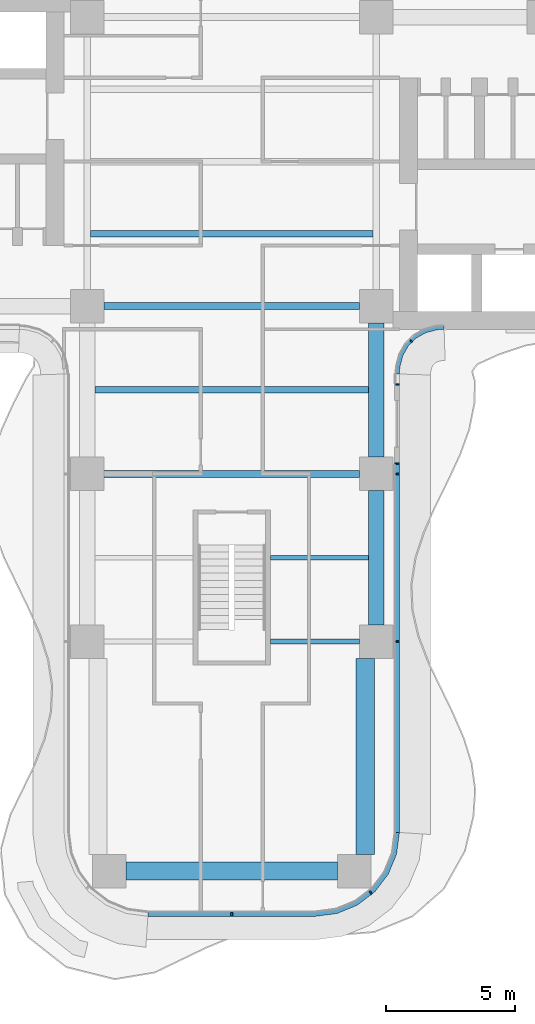
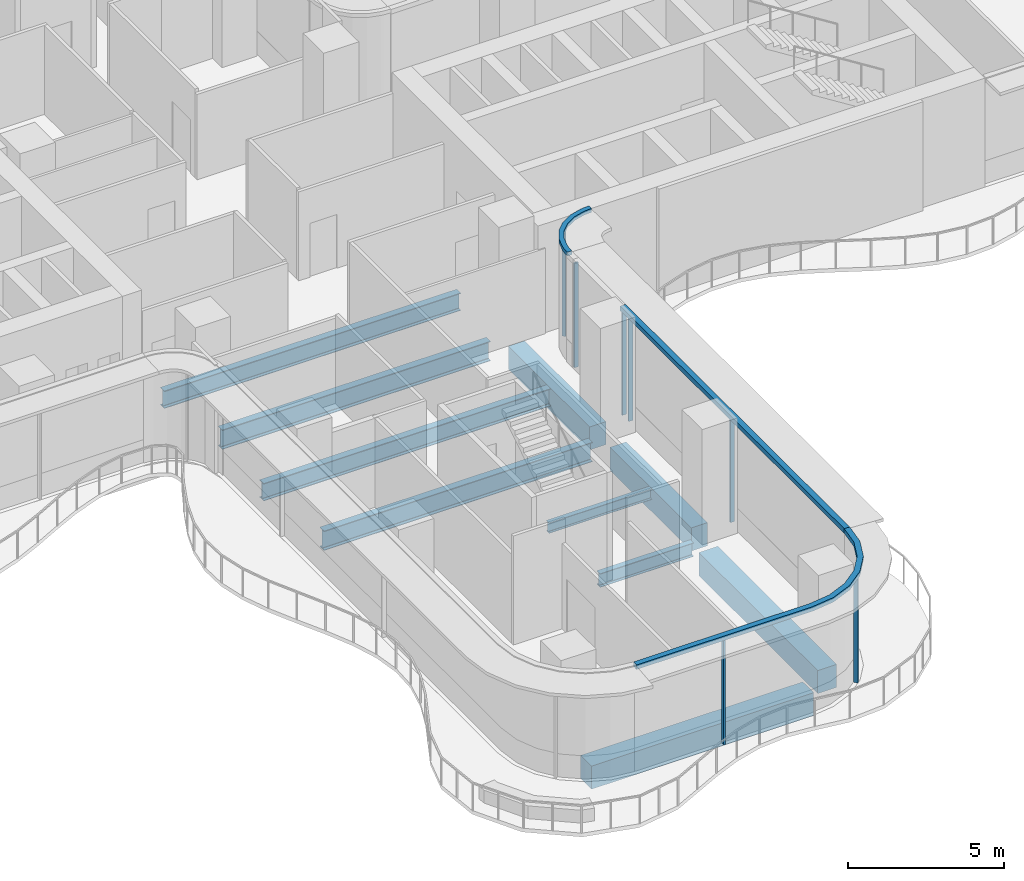
# One storey, part 5 of 23: 10 beams, 10 members, 4 elements without a shape of their own.
"""IFC4 building model written with IfcOpenShell, lengths in metres."""

from ifc_helpers import new_model, si_unit, direction, frame, origin, origin_2d, place, context, subcontext, project, spatial, polyline, rectangle, i_section, outline, extrude, source, transform, mapped, material, layer, layer_set, material_profile, profile_set, type_object, element, aggregate, save


model = new_model("IFC4")

# Units and contexts
model_context = context("Model", 3, precision=1e-05, world=origin(), true_north=direction((0.0, 1.0)))
body_context = subcontext(model_context, "Body", "Model", "MODEL_VIEW")
ifc_project = project(units=[si_unit("LENGTHUNIT", "METRE"), si_unit("AREAUNIT", "SQUARE_METRE"), si_unit("VOLUMEUNIT", "CUBIC_METRE"), si_unit("PLANEANGLEUNIT", "RADIAN"), si_unit("MASSUNIT", "GRAM", prefix="KILO")], contexts=[model_context])

# Site, building, storey
site_placement = place(None, origin())
site = spatial("IfcSite", under=ifc_project, at=site_placement, CompositionType="ELEMENT")
building_placement = place(site_placement, origin())
building = spatial("IfcBuilding", under=site, at=building_placement, Name="Trellis Farm Tower", CompositionType="ELEMENT")
storey_placement = place(building_placement, frame((0.0, 0.0, 111.0)))
storey = spatial("IfcBuildingStorey", under=building, at=storey_placement, Name="L23", CompositionType="ELEMENT", Elevation=111.0)

# Beams
ifc_material_1 = material(Name="Steel S355", Category="steel")
ifc_material_profile_1 = material_profile(ifc_material_1, i_section(OverallWidth=0.253662109375, OverallDepth=0.68359375, WebThickness=0.012451171875, FlangeThickness=0.021728515625, FilletRadius=0.01513671875, at=origin_2d()), Name="UB 686x254x140")
ifc_profile_set_1 = profile_set([ifc_material_profile_1], Name="Steel S355")
beam_type_1 = type_object("IfcBeamType", Name="UB 686x254x140 joist", PredefinedType="JOIST", material=ifc_profile_set_1)
shared_shape_1 = source(origin(), body_context, "Body", "SweptSolid", [
    extrude(i_section(OverallWidth=0.253662109375, OverallDepth=0.68359375, WebThickness=0.012451171875, FlangeThickness=0.021728515625, FilletRadius=0.01513671875, at=origin_2d()), origin(), (0.0, 0.0, 1.0), 10.93310546875),
])
beam_1_placement = place(storey_placement, frame((-5.466552734375, -2.800048828125, -0.591796875), z_axis=(1.0, 0.0, 0.0), x_axis=(0.0, 1.0, 0.0)))
element("IfcBeam", 1, at=beam_1_placement, inside=storey, type_object=beam_type_1, Name="Floor beam", PredefinedType="JOIST", context=body_context, shape_type="MappedRepresentation", body=[
    mapped(shared_shape_1, transform((0.0, 0.0, 0.0))),
])
ifc_material_profile_2 = material_profile(ifc_material_1, i_section(OverallWidth=0.177978515625, OverallDepth=0.406494140625, WebThickness=0.0078125, FlangeThickness=0.0126953125, FilletRadius=0.01025390625, at=origin_2d()), Name="UB 406x178x60")
ifc_profile_set_2 = profile_set([ifc_material_profile_2], Name="Steel S355")
beam_type_2 = type_object("IfcBeamType", Name="UB 406x178x60 joist", PredefinedType="JOIST", material=ifc_profile_set_2)
shared_shape_2 = source(origin(), body_context, "Body", "SweptSolid", [
    extrude(i_section(OverallWidth=0.177978515625, OverallDepth=0.406494140625, WebThickness=0.0078125, FlangeThickness=0.0126953125, FilletRadius=0.01025390625, at=origin_2d()), origin(), (0.0, 0.0, 1.0), 3.800048828125),
])
beam_2_placement = place(storey_placement, frame((1.5, -15.35009765625, -0.453125), z_axis=(1.0, 0.0, 0.0), x_axis=(0.0, 1.0, 0.0)))
element("IfcBeam", 2, at=beam_2_placement, inside=storey, type_object=beam_type_2, Name="Floor beam", PredefinedType="JOIST", context=body_context, shape_type="MappedRepresentation", body=[
    mapped(shared_shape_2, transform((0.0, 0.0, 0.0))),
])
shared_shape_3 = source(origin(), body_context, "Body", "SweptSolid", [
    extrude(i_section(OverallWidth=0.253662109375, OverallDepth=0.68359375, WebThickness=0.012451171875, FlangeThickness=0.021728515625, FilletRadius=0.01513671875, at=origin_2d()), origin(), (0.0, 0.0, 1.0), 10.60009765625),
])
beam_3_placement = place(storey_placement, frame((-5.300048828125, -8.85009765625, -0.591796875), z_axis=(1.0, 0.0, 0.0), x_axis=(0.0, 1.0, 0.0)))
element("IfcBeam", 3, at=beam_3_placement, inside=storey, type_object=beam_type_1, Name="Floor beam", PredefinedType="JOIST", context=body_context, shape_type="MappedRepresentation", body=[
    mapped(shared_shape_3, transform((0.0, 0.0, 0.0))),
])
ifc_material_profile_3 = material_profile(ifc_material_1, i_section(OverallWidth=0.209228515625, OverallDepth=0.533203125, WebThickness=0.010009765625, FlangeThickness=0.015625, FilletRadius=0.0126953125, at=origin_2d()), Name="UB 533x210x92")
ifc_profile_set_3 = profile_set([ifc_material_profile_3], Name="Steel S355")
beam_type_3 = type_object("IfcBeamType", Name="UB 533x210x92", PredefinedType="BEAM", material=ifc_profile_set_3)
shared_shape_4 = source(origin(), body_context, "Body", "SweptSolid", [
    extrude(i_section(OverallWidth=0.209228515625, OverallDepth=0.533203125, WebThickness=0.010009765625, FlangeThickness=0.015625, FilletRadius=0.0126953125, at=origin_2d()), origin(), (0.0, 0.0, 1.0), 3.449951171875),
])
beam_4_placement = place(storey_placement, frame((1.5, -18.60009765625, -0.5166015625), z_axis=(1.0, 0.0, 0.0), x_axis=(0.0, 1.0, 0.0)))
element("IfcBeam", 4, at=beam_4_placement, inside=storey, type_object=beam_type_3, Name="Girder", PredefinedType="BEAM", context=body_context, shape_type="MappedRepresentation", body=[
    mapped(shared_shape_4, transform((0.0, 0.0, 0.0))),
])
ifc_material_profile_4 = material_profile(ifc_material_1, i_section(OverallWidth=0.2666015625, OverallDepth=0.76220703125, WebThickness=0.014404296875, FlangeThickness=0.021484375, FilletRadius=0.0166015625, at=origin_2d()), Name="UB 762x267x173")
ifc_profile_set_4 = profile_set([ifc_material_profile_4], Name="Steel S355")
beam_type_4 = type_object("IfcBeamType", Name="UB 762x267x173", PredefinedType="BEAM", material=ifc_profile_set_4)
shared_shape_5 = source(origin(), body_context, "Body", "SweptSolid", [
    extrude(i_section(OverallWidth=0.2666015625, OverallDepth=0.76220703125, WebThickness=0.014404296875, FlangeThickness=0.021484375, FilletRadius=0.0166015625, at=origin_2d()), origin(), (0.0, 0.0, 1.0), 9.89990234375),
])
for number, where, z_axis, x_axis, name in (
    (5, (-4.949951171875, -12.10009765625, -0.631103515625), (1.0, 0.0, 0.0), (0.0, 1.0, 0.0), "Girder"),
    (6, (-4.949951171875, -5.60009765625, -0.631103515625), (1.0, 0.0, 0.0), (0.0, 1.0, 0.0), "Girder"),
):
    element("IfcBeam", number, at=place(storey_placement, frame(where, z_axis=z_axis, x_axis=x_axis)), inside=storey, type_object=beam_type_4, Name=name, PredefinedType="BEAM", context=body_context, shape_type="MappedRepresentation", body=[
        mapped(shared_shape_5, transform((0.0, 0.0, 0.0))),
    ])
ifc_material_2 = material(Name="Concrete C60/75", Category="concrete")
ifc_material_profile_5 = material_profile(ifc_material_2, rectangle(XDim=0.60009765625, YDim=0.89990234375, at=origin_2d()), Name="RC spandrel beam 600x900 C60/75")
ifc_profile_set_5 = profile_set([ifc_material_profile_5], Name="Concrete C60/75")
beam_type_5 = type_object("IfcBeamType", Name="RC spandrel beam 600x900 C60/75", PredefinedType="SPANDREL", material=ifc_profile_set_5)
shared_shape_6 = source(origin(), body_context, "Body", "SweptSolid", [
    extrude(rectangle(XDim=0.60009765625, YDim=0.89990234375, at=origin_2d()), origin(), (0.0, 0.0, 1.0), 5.199951171875),
])
for number, where, z_axis, x_axis, name in (
    (7, (5.60009765625, -17.949951171875, -0.699951171875), (0.0, 1.0, 0.0), (-1.0, 0.0, 0.0), "Girder"),
    (8, (5.60009765625, -11.449951171875, -0.699951171875), (0.0, 1.0, 0.0), (-1.0, 0.0, 0.0), "Girder"),
):
    element("IfcBeam", number, at=place(storey_placement, frame(where, z_axis=z_axis, x_axis=x_axis)), inside=storey, type_object=beam_type_5, Name=name, PredefinedType="SPANDREL", context=body_context, shape_type="MappedRepresentation", body=[
        mapped(shared_shape_6, transform((0.0, 0.0, 0.0))),
    ])
ifc_material_profile_6 = material_profile(ifc_material_2, rectangle(XDim=0.699951171875, YDim=0.89990234375, at=origin_2d()), Name="RC spandrel beam 700x900 C60/75")
ifc_profile_set_6 = profile_set([ifc_material_profile_6], Name="Concrete C60/75")
beam_type_6 = type_object("IfcBeamType", Name="RC spandrel beam 700x900 C60/75", PredefinedType="SPANDREL", material=ifc_profile_set_6)
shared_shape_7 = source(origin(), body_context, "Body", "SweptSolid", [
    extrude(rectangle(XDim=0.699951171875, YDim=0.89990234375, at=origin_2d()), origin(), (0.0, 0.0, 1.0), 8.2001953125),
])
beam_5_placement = place(storey_placement, frame((-4.10009765625, -27.5, -0.699951171875), z_axis=(1.0, 0.0, 0.0), x_axis=(0.0, 1.0, 0.0)))
element("IfcBeam", 9, at=beam_5_placement, inside=storey, type_object=beam_type_6, Name="Girder", PredefinedType="SPANDREL", context=body_context, shape_type="MappedRepresentation", body=[
    mapped(shared_shape_7, transform((0.0, 0.0, 0.0))),
])
shared_shape_8 = source(origin(), body_context, "Body", "SweptSolid", [
    extrude(rectangle(XDim=0.699951171875, YDim=0.89990234375, at=origin_2d()), origin(), (0.0, 0.0, 1.0), 7.60009765625),
])
beam_6_placement = place(storey_placement, frame((5.175048828125, -26.85009765625, -0.699951171875), z_axis=(0.0, 1.0, 0.0), x_axis=(-1.0, 0.0, 0.0)))
element("IfcBeam", 10, at=beam_6_placement, inside=storey, type_object=beam_type_6, Name="Girder", PredefinedType="SPANDREL", context=body_context, shape_type="MappedRepresentation", body=[
    mapped(shared_shape_8, transform((0.0, 0.0, 0.0))),
])

# Curtain wall, members
ifc_material_3 = material(Name="Aluminium and glass curtain wall", Category="aluminium")
ifc_layer_1 = layer(ifc_material_3, 0.18994140625)
ifc_layer_set_1 = layer_set([ifc_layer_1], Name="RIBBON CURTAIN WALL CW1")
curtain_wall_type_1 = type_object("IfcCurtainWallType", Name="RIBBON CURTAIN WALL CW1", PredefinedType="NOTDEFINED", material=ifc_layer_set_1)
placement_1 = place(storey_placement, origin())
curtain_wall_1 = element("IfcCurtainWall", 11, at=placement_1, inside=storey, type_object=curtain_wall_type_1, Name="CW1 003", PredefinedType="NOTDEFINED")
ifc_material_4 = material(Name="Aluminium extrusion 6063-T6", Category="aluminium")
ifc_material_profile_7 = material_profile(ifc_material_4, rectangle(XDim=0.06005859375, YDim=0.14990234375, at=origin_2d()), Name="MULLION 60x150")
ifc_profile_set_7 = profile_set([ifc_material_profile_7], Name="Aluminium extrusion 6063-T6")
member_type_1 = type_object("IfcMemberType", Name="CW1 MULLION 60x150", PredefinedType="MULLION", material=ifc_profile_set_7)
shared_shape_9 = source(origin(), body_context, "Body", "SweptSolid", [
    extrude(rectangle(XDim=0.06005859375, YDim=0.14990234375, at=origin_2d()), origin(), (0.0, 0.0, 1.0), 4.070068359375),
])
member_1_placement = place(storey_placement, frame((0.0, -29.175048828125, 0.0), z_axis=(0.0, 0.0, 1.0), x_axis=(1.0, 0.0, 0.0)))
member_1 = element("IfcMember", 12, at=member_1_placement, type_object=member_type_1, Name="MU1 003-01", PredefinedType="MULLION", context=body_context, shape_type="MappedRepresentation", body=[
    mapped(shared_shape_9, transform((0.0, 0.0, 0.0))),
])
member_2_placement = place(storey_placement, frame((5.385498046875, -28.328369140625, 0.0), z_axis=(0.0, 0.0, 1.0), x_axis=(0.793353340291, 0.608761429009, 0.0)))
member_2 = element("IfcMember", 13, at=member_2_placement, type_object=member_type_1, Name="MU1 003-02", PredefinedType="MULLION", context=body_context, shape_type="MappedRepresentation", body=[
    mapped(shared_shape_9, transform((0.0, 0.0, 0.0))),
])

curtain_wall_2 = element("IfcCurtainWall", 14, at=placement_1, inside=storey, type_object=curtain_wall_type_1, Name="CW1 004", PredefinedType="NOTDEFINED")
member_3_placement = place(storey_placement, frame((6.425048828125, -18.60009765625, 0.0), z_axis=(0.0, 0.0, 1.0), x_axis=(0.0, 1.0, 0.0)))
member_3 = element("IfcMember", 15, at=member_3_placement, type_object=member_type_1, Name="MU1 004-01", PredefinedType="MULLION", context=body_context, shape_type="MappedRepresentation", body=[
    mapped(shared_shape_9, transform((0.0, 0.0, 0.0))),
])
member_4_placement = place(storey_placement, frame((6.425048828125, -12.10009765625, 0.0), z_axis=(0.0, 0.0, 1.0), x_axis=(0.0, 1.0, 0.0)))
member_4 = element("IfcMember", 16, at=member_4_placement, type_object=member_type_1, Name="MU1 004-02", PredefinedType="MULLION", context=body_context, shape_type="MappedRepresentation", body=[
    mapped(shared_shape_9, transform((0.0, 0.0, 0.0))),
])
member_5_placement = place(storey_placement, frame((6.425048828125, -11.69580078125, 0.0), z_axis=(0.0, 0.0, 1.0), x_axis=(0.0, 1.0, 0.0)))
member_5 = element("IfcMember", 17, at=member_5_placement, type_object=member_type_1, Name="MU1 004-03", PredefinedType="MULLION", context=body_context, shape_type="MappedRepresentation", body=[
    mapped(shared_shape_9, transform((0.0, 0.0, 0.0))),
])

# Curtain wall, member
curtain_wall_3 = element("IfcCurtainWall", 18, at=placement_1, inside=storey, type_object=curtain_wall_type_1, Name="CW1 005", PredefinedType="NOTDEFINED")
member_6_placement = place(storey_placement, frame((6.425048828125, -8.6357421875, 0.0), z_axis=(0.0, 0.0, 1.0), x_axis=(0.0, 1.0, 0.0)))
member_6 = element("IfcMember", 19, at=member_6_placement, type_object=member_type_1, Name="MU1 005-01", PredefinedType="MULLION", context=body_context, shape_type="MappedRepresentation", body=[
    mapped(shared_shape_9, transform((0.0, 0.0, 0.0))),
])
aggregate(curtain_wall_3, [member_6])

ifc_layer_2 = layer(ifc_material_3, 0.166015625)
ifc_layer_set_2 = layer_set([ifc_layer_2], Name="WINTER GARDEN CURTAIN WALL CW3")
curtain_wall_type_2 = type_object("IfcCurtainWallType", Name="WINTER GARDEN CURTAIN WALL CW3", PredefinedType="NOTDEFINED", material=ifc_layer_set_2)
curtain_wall_4 = element("IfcCurtainWall", 20, at=placement_1, inside=storey, type_object=curtain_wall_type_2, Name="CW3 002", PredefinedType="NOTDEFINED")
ifc_material_profile_8 = material_profile(ifc_material_4, rectangle(XDim=0.050048828125, YDim=0.1201171875, at=origin_2d()), Name="MULLION 50x120")
ifc_profile_set_8 = profile_set([ifc_material_profile_8], Name="Aluminium extrusion 6063-T6")
member_type_2 = type_object("IfcMemberType", Name="CW3 MULLION 50x120", PredefinedType="MULLION", material=ifc_profile_set_8)
shared_shape_10 = source(origin(), body_context, "Body", "SweptSolid", [
    extrude(rectangle(XDim=0.050048828125, YDim=0.1201171875, at=origin_2d()), origin(), (0.0, 0.0, 1.0), 4.10009765625),
])
member_7_placement = place(storey_placement, frame((6.953125, -6.953125, 0.0), z_axis=(0.0, 0.0, 1.0), x_axis=(0.707106781187, 0.707106781187, 0.0)))
member_7 = element("IfcMember", 21, at=member_7_placement, type_object=member_type_2, Name="MU3 002-01", PredefinedType="MULLION", context=body_context, shape_type="MappedRepresentation", body=[
    mapped(shared_shape_10, transform((0.0, 0.0, 0.0))),
])

# Member
ifc_layer_3 = layer(ifc_material_4, 0.199951171875)
ifc_layer_set_3 = layer_set([ifc_layer_3], Name="Aluminium extrusion 6063-T6")
member_type_3 = type_object("IfcMemberType", Name="CW1 TRANSOM 200x180", PredefinedType="USERDEFINED", material=ifc_layer_set_3)
shared_shape_11 = source(origin(), body_context, "Body", "SweptSolid", [
    extrude(outline(polyline([(-3.25, -29.25), (3.25, -29.25), (4.091064453125, -29.13916015625), (4.875, -28.814697265625), (5.548095703125, -28.298095703125), (6.064697265625, -27.625), (6.38916015625, -26.841064453125), (6.5, -26.0), (6.300048828125, -25.98681640625), (6.1943359375, -26.7890625), (5.889892578125, -27.524169921875), (5.405517578125, -28.155517578125), (4.774169921875, -28.639892578125), (4.0390625, -28.9443359375), (3.23681640625, -29.050048828125), (-3.23681640625, -29.050048828125), (-3.25, -29.25)])), origin(), (0.0, 0.0, 1.0), 0.179931640625),
])
placement_2 = place(storey_placement, frame((0.0, 0.0, 4.070068359375)))
member_8 = element("IfcMember", 22, at=placement_2, type_object=member_type_3, Name="TR1 003", ObjectType="TRANSOM", PredefinedType="USERDEFINED", context=body_context, shape_type="MappedRepresentation", body=[
    mapped(shared_shape_11, transform((0.0, 0.0, 0.0))),
])

aggregate(curtain_wall_1, [member_1, member_2, member_8])

ifc_layer_4 = layer(ifc_material_4, 0.169921875)
ifc_layer_set_4 = layer_set([ifc_layer_4], Name="Aluminium extrusion 6063-T6")
member_type_4 = type_object("IfcMemberType", Name="CW3 TRANSOM 170x150", PredefinedType="USERDEFINED", material=ifc_layer_set_4)
shared_shape_12 = source(origin(), body_context, "Body", "SweptSolid", [
    extrude(outline(polyline([(6.5, -8.2314453125), (6.513916015625, -8.01953125), (6.527587890625, -7.91552734375), (6.63671875, -7.508544921875), (6.846923828125, -7.144287109375), (7.144287109375, -6.846923828125), (7.508544921875, -6.63671875), (7.91552734375, -6.527587890625), (8.01953125, -6.513916015625), (8.2314453125, -6.5), (8.225830078125, -6.330078125), (8.0029296875, -6.3447265625), (7.88232421875, -6.360595703125), (7.44287109375, -6.478271484375), (7.0400390625, -6.7109375), (6.7109375, -7.0400390625), (6.478271484375, -7.44287109375), (6.360595703125, -7.88232421875), (6.3447265625, -8.0029296875), (6.330078125, -8.225830078125), (6.5, -8.2314453125)])), origin(), (0.0, 0.0, 1.0), 0.14990234375),
])
member_9_placement = place(storey_placement, frame((0.0, 0.0, 4.10009765625)))
member_9 = element("IfcMember", 23, at=member_9_placement, type_object=member_type_4, Name="TR3 002", ObjectType="TRANSOM", PredefinedType="USERDEFINED", context=body_context, shape_type="MappedRepresentation", body=[
    mapped(shared_shape_12, transform((0.0, 0.0, 0.0))),
])

aggregate(curtain_wall_4, [member_7, member_9])

shared_shape_13 = source(origin(), body_context, "Body", "SweptSolid", [
    extrude(outline(polyline([(6.5, -26.0), (6.5, -11.665771484375), (6.300048828125, -11.665771484375), (6.300048828125, -25.98681640625), (6.5, -26.0)])), origin(), (0.0, 0.0, 1.0), 0.179931640625),
])
member_10 = element("IfcMember", 24, at=placement_2, type_object=member_type_3, Name="TR1 004", ObjectType="TRANSOM", PredefinedType="USERDEFINED", context=body_context, shape_type="MappedRepresentation", body=[
    mapped(shared_shape_13, transform((0.0, 0.0, 0.0))),
])

aggregate(curtain_wall_2, [member_3, member_4, member_5, member_10])

save(model, "model.ifc")
